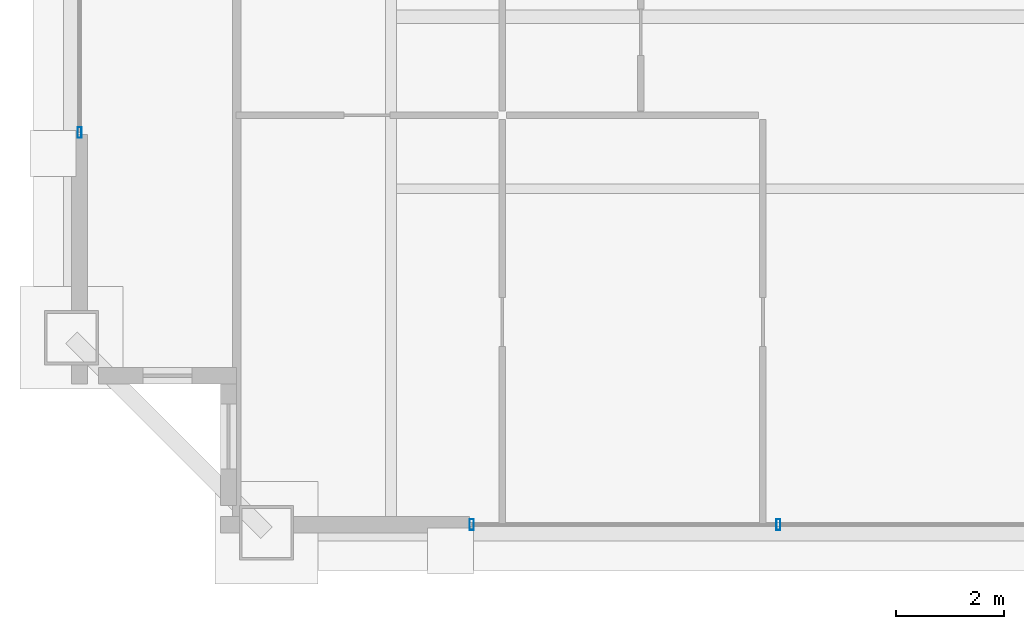
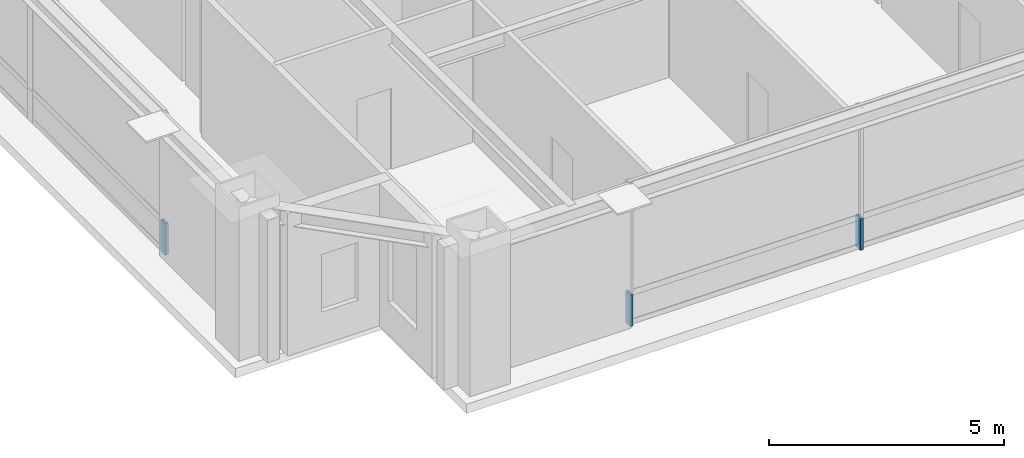
# One storey, part 21 of 34: 3 members, 2 elements without a shape of their own.
"""IFC4 building model written with IfcOpenShell, lengths in metres."""

from ifc_helpers import new_model, si_unit, direction, frame, origin, origin_2d, place, context, subcontext, project, spatial, hollow_rectangle, extrude, source, transform, mapped, material, layer, layer_set, material_profile, profile_set, type_object, element, aggregate, save


model = new_model("IFC4")

# Units and contexts
model_context = context("Model", 3, precision=1e-05, world=origin(), true_north=direction((0.0, 1.0)))
body_context = subcontext(model_context, "Body", "Model", "MODEL_VIEW")
ifc_project = project(units=[si_unit("LENGTHUNIT", "METRE"), si_unit("AREAUNIT", "SQUARE_METRE"), si_unit("VOLUMEUNIT", "CUBIC_METRE"), si_unit("PLANEANGLEUNIT", "RADIAN"), si_unit("MASSUNIT", "GRAM", prefix="KILO"), si_unit("THERMODYNAMICTEMPERATUREUNIT", "KELVIN"), si_unit("POWERUNIT", "WATT")], contexts=[model_context])

# Site, building, storey
site_placement = place(None, origin())
site = spatial("IfcSite", under=ifc_project, at=site_placement, CompositionType="ELEMENT")
building_placement = place(site_placement, origin())
building = spatial("IfcBuilding", under=site, at=building_placement, Name="Yuzanri Waterfront Tower", CompositionType="ELEMENT")
storey_placement = place(building_placement, frame((0.0, 0.0, 347.199951171875)))
storey = spatial("IfcBuildingStorey", under=building, at=storey_placement, Name="L93", CompositionType="ELEMENT", Elevation=347.199951171875)

# Curtain wall, members
ifc_material_1 = material(Name="Anodized Architectural Bronze", Category="metal")
ifc_layer = layer(ifc_material_1, 0.159912109375)
ifc_layer_set = layer_set([ifc_layer], Name="Anodized Architectural Bronze")
curtain_wall_type = type_object("IfcCurtainWallType", Name="Anodized Bronze High-Rise Penthouse High-Wind Unitized Curtain Wall 6900", PredefinedType="NOTDEFINED", material=ifc_layer_set)
curtain_wall_1_placement = place(storey_placement, origin())
curtain_wall_1 = element("IfcCurtainWall", 1, at=curtain_wall_1_placement, inside=storey, type_object=curtain_wall_type, Name="L93 Curtain Wall CW-L93-SL", PredefinedType="NOTDEFINED")
ifc_material_2 = material(Name="Anodized Architectural Bronze", Category="metal")
ifc_material_profile = material_profile(ifc_material_2, hollow_rectangle(XDim=0.074951171875, YDim=0.199951171875, WallThickness=0.00390625, at=origin_2d()), Name="CWM 75x200")
ifc_profile_set = profile_set([ifc_material_profile], Name="Anodized Architectural Bronze")
member_type = type_object("IfcMemberType", Name="Anodized Bronze Primary Curtain-Wall Mullion 75x200", PredefinedType="MULLION", material=ifc_profile_set)
shared_shape = source(origin(), body_context, "Body", "SweptSolid", [
    extrude(hollow_rectangle(XDim=0.074951171875, YDim=0.199951171875, WallThickness=0.00390625, at=origin_2d()), origin(), (0.0, 0.0, 1.0), 0.818115234375),
])
member_1_placement = place(storey_placement, frame((25.2900390625, 6.85009765625, 0.0), z_axis=(0.0, 0.0, 1.0), x_axis=(1.0, 0.0, 0.0)))
member_1 = element("IfcMember", 2, at=member_1_placement, type_object=member_type, Name="CW-L93-SL Lower Mullion 00", PredefinedType="MULLION", context=body_context, shape_type="MappedRepresentation", body=[
    mapped(shared_shape, transform((0.0, 0.0, 0.0), scale=1.0)),
])
member_2_placement = place(storey_placement, frame((30.949951171875, 6.85009765625, 0.0), z_axis=(0.0, 0.0, 1.0), x_axis=(1.0, 0.0, 0.0)))
member_2 = element("IfcMember", 3, at=member_2_placement, type_object=member_type, Name="CW-L93-SL Lower Mullion 01", PredefinedType="MULLION", context=body_context, shape_type="MappedRepresentation", body=[
    mapped(shared_shape, transform((0.0, 0.0, 0.0), scale=1.0)),
])
aggregate(curtain_wall_1, [member_1, member_2])

# Curtain wall, member
curtain_wall_2_placement = place(storey_placement, origin())
curtain_wall_2 = element("IfcCurtainWall", 4, at=curtain_wall_2_placement, inside=storey, type_object=curtain_wall_type, Name="L93 Curtain Wall CW-L93-WL", PredefinedType="NOTDEFINED")
member_3_placement = place(storey_placement, frame((18.050048828125, 14.090087890625, 0.0), z_axis=(0.0, 0.0, 1.0), x_axis=(1.0, 0.0, 0.0)))
member_3 = element("IfcMember", 5, at=member_3_placement, type_object=member_type, Name="CW-L93-WL Lower Mullion 00", PredefinedType="MULLION", context=body_context, shape_type="MappedRepresentation", body=[
    mapped(shared_shape, transform((0.0, 0.0, 0.0), scale=1.0)),
])
aggregate(curtain_wall_2, [member_3])

save(model, "model.ifc")
